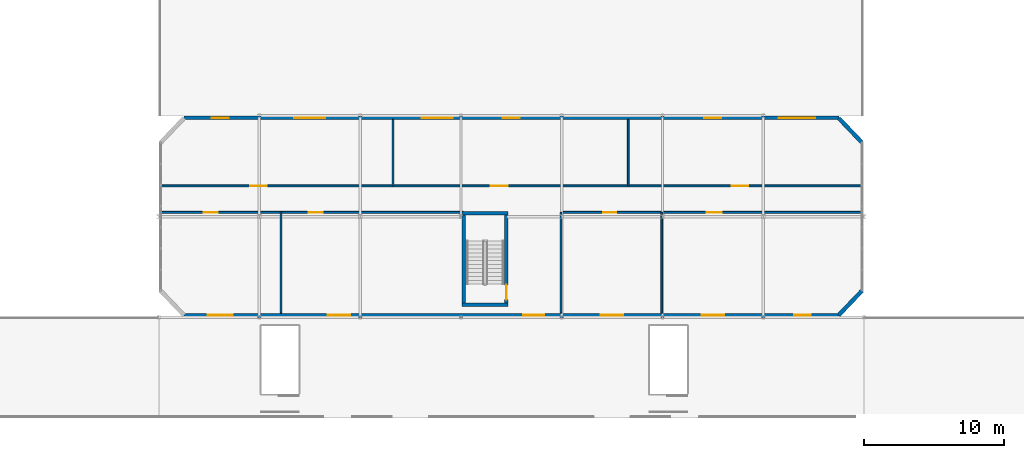
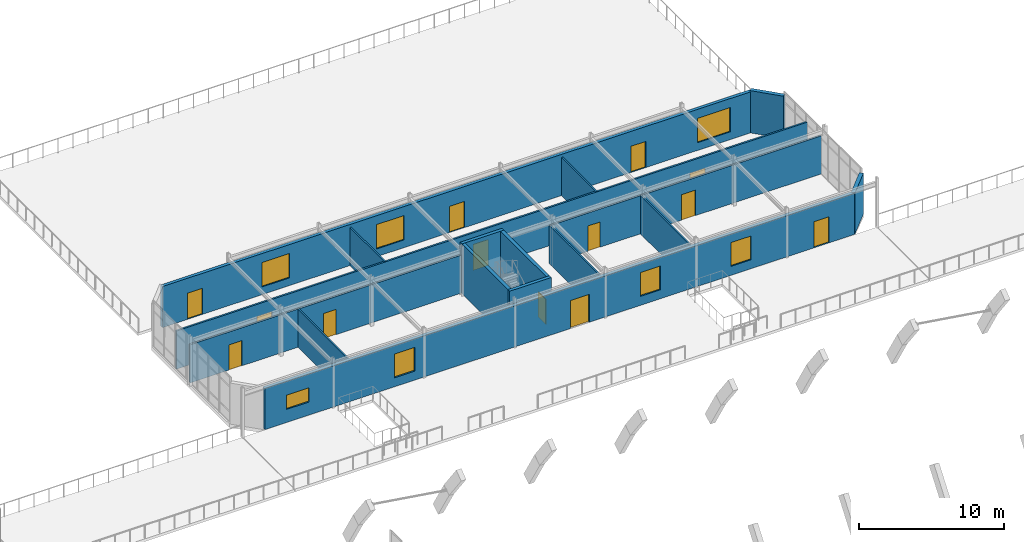
# One storey, part 55 of 85: 16 walls, 13 doors, 7 windows, 20 openings.
"""IFC4 building model written with IfcOpenShell, lengths in metres."""

import ifcopenshell
import ifcopenshell.guid

model = None  # the IFC model being written
_history = None  # IfcOwnerHistory: only IFC2X3 demands one
_inside = {}  # id of a spatial element -> (the spatial element, [elements in it])
_under = {}  # id of a project, library or spatial element -> (it, [spatial elements below it])
_declared = {}  # id of a project -> (the project, [libraries it declares])
_typed = {}  # id of a type object -> (the type object, [elements of that type])
_made_of = {}  # id of a material, layer set ... -> (it, [elements and type objects made of it])


def new_model(schema):
    """Start an empty IFC model of exactly this schema.

    Asked for "IFC4X3", IfcOpenShell would pick the latest addendum, in which some entities
    have other attributes; the version numbers below select the first issue.
    IFC2X3 requires an IfcOwnerHistory on every rooted entity: one is made here for all.
    """
    global model, _history
    if schema == "IFC4X3":
        model = ifcopenshell.file(schema_version=(4, 3, 0, 0))
    else:
        model = ifcopenshell.file(schema=schema)
    _inside.clear()
    _under.clear()
    _declared.clear()
    _typed.clear()
    _made_of.clear()
    _history = None
    if model.schema == "IFC2X3":
        org = make("IfcOrganization", Name="unknown")
        user = make(
            "IfcPersonAndOrganization",
            ThePerson=make("IfcPerson", FamilyName="unknown"),
            TheOrganization=org,
        )
        app = make(
            "IfcApplication",
            ApplicationDeveloper=org,
            Version="unknown",
            ApplicationFullName="unknown",
            ApplicationIdentifier="unknown",
        )
        _history = make(
            "IfcOwnerHistory",
            OwningUser=user,
            OwningApplication=app,
            ChangeAction="ADDED",
            CreationDate=0,
        )
    return model


def make(cls, **values):
    """One entity of the class cls with the attributes given. An attribute that is None is left unset."""
    return model.create_entity(
        cls, **{name: value for name, value in values.items() if value is not None}
    )


def rooted(cls, **values):
    """An entity with a GlobalId (a new one), such as an element, a storey or a relation."""
    return make(cls, GlobalId=ifcopenshell.guid.new(), OwnerHistory=_history, **values)


def si_unit(unit_type, name, prefix=None):
    """IfcSIUnit, for example si_unit("LENGTHUNIT", "METRE", prefix="MILLI")."""
    return make("IfcSIUnit", UnitType=unit_type, Prefix=prefix, Name=name)


def assignment(units):
    """IfcUnitAssignment: the units of a project."""
    return None if units is None else make("IfcUnitAssignment", Units=units)


def point(xyz):
    """IfcCartesianPoint."""
    return None if xyz is None else make("IfcCartesianPoint", Coordinates=xyz)


def direction(xyz):
    """IfcDirection."""
    return None if xyz is None else make("IfcDirection", DirectionRatios=xyz)


def frame(location, z_axis=None, x_axis=None):
    """IfcAxis2Placement3D, a coordinate frame: its origin and axes. An axis left out is left unset."""
    return make(
        "IfcAxis2Placement3D",
        Location=point(location),
        Axis=direction(z_axis),
        RefDirection=direction(x_axis),
    )


def frame_2d(location, x_axis=None):
    """IfcAxis2Placement2D, a coordinate frame in the plane: its origin and x axis."""
    return make(
        "IfcAxis2Placement2D", Location=point(location), RefDirection=direction(x_axis)
    )


def origin():
    """The frame at (0, 0, 0) with its axes left unset."""
    return frame((0.0, 0.0, 0.0))


def place(relative_to, where):
    """IfcLocalPlacement: puts the frame where relative to a parent placement (None: the world)."""
    return make(
        "IfcLocalPlacement", PlacementRelTo=relative_to, RelativePlacement=where
    )


def context(
    kind, dimensions, precision=None, world=None, true_north=None, identifier=None
):
    """IfcGeometricRepresentationContext, for example the 3D "Model" context."""
    return make(
        "IfcGeometricRepresentationContext",
        ContextIdentifier=identifier,
        ContextType=kind,
        CoordinateSpaceDimension=dimensions,
        Precision=precision,
        WorldCoordinateSystem=world,
        TrueNorth=true_north,
    )


def subcontext(parent, identifier, kind, view, scale=None):
    """IfcGeometricRepresentationSubContext, for example "Body" below "Model"."""
    return make(
        "IfcGeometricRepresentationSubContext",
        ContextIdentifier=identifier,
        ContextType=kind,
        ParentContext=parent,
        TargetScale=scale,
        TargetView=view,
    )


def project(units=None, contexts=None):
    """IfcProject with its units and contexts."""
    return rooted(
        "IfcProject",
        Name="project",
        RepresentationContexts=contexts,
        UnitsInContext=assignment(units),
    )


def spatial(cls, under=None, at=None, **own):
    """A site, building, storey or space (cls), placed at a placement, below another one or the project."""
    s = rooted(cls, ObjectPlacement=at, **own)
    if under is not None:
        _under.setdefault(under.id(), (under, []))[1].append(s)
    return s


def profile(cls, at=None, kind="AREA", **sizes):
    """A parametric profile (cls). Its sizes go by their IFC names, for example OverallWidth=200.0."""
    return make(cls, ProfileType=kind, Position=at, **sizes)


def rectangle(**sizes):
    """IfcRectangleProfileDef."""
    return profile("IfcRectangleProfileDef", **sizes)


def extrude(swept, where, along, depth):
    """IfcExtrudedAreaSolid: the profile swept, set in the frame where, extruded along a direction by depth."""
    return make(
        "IfcExtrudedAreaSolid",
        SweptArea=swept,
        Position=where,
        ExtrudedDirection=direction(along),
        Depth=depth,
    )


def shape(context_of_items, identifier, shape_type, items):
    """IfcShapeRepresentation: the items that make up one representation, for example the "Body"."""
    return make(
        "IfcShapeRepresentation",
        ContextOfItems=context_of_items,
        RepresentationIdentifier=identifier,
        RepresentationType=shape_type,
        Items=items,
    )


def material(Name=None, Category=None):
    """IfcMaterial."""
    return make("IfcMaterial", Name=Name, Category=Category)


def layer(
    of_material, thickness, ventilated=None, Name=None, Category=None, Priority=None
):
    """IfcMaterialLayer: one layer of a wall or slab, of a material (None: an air gap)."""
    return make(
        "IfcMaterialLayer",
        Material=of_material,
        LayerThickness=thickness,
        IsVentilated=ventilated,
        Name=Name,
        Category=Category,
        Priority=Priority,
    )


def layer_set(layers, Name=None):
    """IfcMaterialLayerSet."""
    return make("IfcMaterialLayerSet", MaterialLayers=layers, LayerSetName=Name)


def made_of(thing, what):
    """Note that an element or type object is made of a material, layer set ...; save() writes the relation."""
    if what is not None:
        _made_of.setdefault(what.id(), (what, []))[1].append(thing)
    return thing


def type_object(cls, material=None, **own):
    """A type object (cls), such as IfcWallType, which elements share."""
    return made_of(rooted(cls, **own), material)


def element(
    cls,
    number,
    at=None,
    inside=None,
    cuts=None,
    type_object=None,
    material=None,
    context=None,
    identifier="Body",
    shape_type=None,
    held_by="IfcProductDefinitionShape",
    body=None,
    shapes=None,
    **own,
):
    """One element of the class cls, such as IfcWall. Its Tag is "e" and its number.

    at: its placement. inside: the storey or other place that contains it. cuts: it is an
    opening in that element (IfcRelVoidsElement). A single representation is given by context,
    identifier, shape_type and body (its items); several are given by shapes. held_by: the class
    of the entity that holds the representations. save() writes the other relations.
    """
    e = rooted(cls, Tag="e%d" % number, ObjectPlacement=at, **own)
    if body is not None:
        shapes = [shape(context, identifier, shape_type, body)]
    if shapes is not None:
        e.Representation = make(held_by, Representations=shapes)
    if inside is not None:
        _inside.setdefault(inside.id(), (inside, []))[1].append(e)
    if cuts is not None:
        rooted(
            "IfcRelVoidsElement", RelatingBuildingElement=cuts, RelatedOpeningElement=e
        )
    if type_object is not None:
        _typed.setdefault(type_object.id(), (type_object, []))[1].append(e)
    return made_of(e, material)


def fill(opening, filler):
    """IfcRelFillsElement: the door or window that sits in an opening."""
    return rooted(
        "IfcRelFillsElement",
        RelatingOpeningElement=opening,
        RelatedBuildingElement=filler,
    )


def aggregate(whole, parts):
    """IfcRelAggregates: a whole, such as a stair, and the parts it consists of."""
    return rooted("IfcRelAggregates", RelatingObject=whole, RelatedObjects=parts)


def save(model, path):
    """Write the relations noted so far, then the file.

    IfcRelAggregates (storeys below a building ...), IfcRelContainedInSpatialStructure (elements
    in a storey), IfcRelDefinesByType, IfcRelAssociatesMaterial and IfcRelDeclares: one each for
    every whole, place, type object, material and project.
    """
    for whole, parts in _under.values():
        aggregate(whole, parts)
    for where, things in _inside.values():
        rooted(
            "IfcRelContainedInSpatialStructure",
            RelatedElements=things,
            RelatingStructure=where,
        )
    for kind, things in _typed.values():
        rooted("IfcRelDefinesByType", RelatedObjects=things, RelatingType=kind)
    for what, things in _made_of.values():
        rooted("IfcRelAssociatesMaterial", RelatedObjects=things, RelatingMaterial=what)
    for by, libraries in _declared.values():
        rooted("IfcRelDeclares", RelatingContext=by, RelatedDefinitions=libraries)
    model.write(path)


model = new_model("IFC4")

# Units and contexts
model_context = context("Model", 3, precision=1e-05, world=origin(), true_north=direction((0.0, 1.0)))
body_context = subcontext(model_context, "Body", "Model", "MODEL_VIEW")
ifc_project = project(units=[si_unit("LENGTHUNIT", "METRE"), si_unit("AREAUNIT", "SQUARE_METRE"), si_unit("VOLUMEUNIT", "CUBIC_METRE"), si_unit("PLANEANGLEUNIT", "RADIAN"), si_unit("MASSUNIT", "GRAM", prefix="KILO")], contexts=[model_context])

# Site, building, storey
site_placement = place(None, origin())
site = spatial("IfcSite", under=ifc_project, at=site_placement, CompositionType="ELEMENT")
building_placement = place(site_placement, origin())
building = spatial("IfcBuilding", under=site, at=building_placement, Name="Ochrevale Crest", CompositionType="ELEMENT")
storey_placement = place(building_placement, frame((0.0, 0.0, 4.5)))
storey = spatial("IfcBuildingStorey", under=building, at=storey_placement, Name="L01", CompositionType="ELEMENT", Elevation=4.5)

# Wall, openings, doors
ifc_material_1 = material(Name="Gypsum plasterboard", Category="gypsum")
ifc_layer_1 = layer(ifc_material_1, 0.139892578125)
ifc_layer_set_1 = layer_set([ifc_layer_1], Name="Gypsum plasterboard")
wall_type_1 = type_object("IfcWallType", Name="WL-COR-140", PredefinedType="PARTITIONING", material=ifc_layer_set_1)
wall_1_placement = place(storey_placement, frame((57.739990234375, 88.60009765625, 0.0), z_axis=(0.0, 0.0, 1.0), x_axis=(1.0, 0.0, 0.0)))
wall_1 = element("IfcWall", 1, at=wall_1_placement, inside=storey, type_object=wall_type_1, Name="Nursery playrooms corridor wall", PredefinedType="PARTITIONING", context=body_context, shape_type="SweptSolid", body=[
    extrude(rectangle(XDim=50.1201171875, YDim=0.139892578125, at=frame_2d((25.06005859375, 0.0))), origin(), (0.0, 0.0, 1.0), 3.199951171875),
])
opening_1_placement = place(wall_1_placement, frame((6.39990234375, 0.0, 0.0)))
opening_1 = element("IfcOpeningElement", 2, at=opening_1_placement, cuts=wall_1, Name="Opening ID09", PredefinedType="OPENING", context=body_context, shape_type="SweptSolid", body=[
    extrude(rectangle(XDim=1.199951171875, YDim=2.179931640625, at=frame_2d((0.60009765625, 1.08984375))), frame((0.0, 0.080078125, 0.0), z_axis=(0.0, -1.0, 0.0), x_axis=(1.0, 0.0, 0.0)), (0.0, 0.0, 1.0), 0.159912109375),
])
opening_2_placement = place(wall_1_placement, frame((24.800048828125, 0.0, 0.0), z_axis=(0.0, 0.0, 1.0), x_axis=(-1.0, 0.0, 0.0)))
opening_2 = element("IfcOpeningElement", 3, at=opening_2_placement, cuts=wall_1, Name="Opening ID09", PredefinedType="OPENING", context=body_context, shape_type="SweptSolid", body=[
    extrude(rectangle(XDim=1.199951171875, YDim=2.179931640625, at=frame_2d((0.60009765625, 1.08984375))), frame((0.0, 0.080078125, 0.0), z_axis=(0.0, -1.0, 0.0), x_axis=(1.0, 0.0, 0.0)), (0.0, 0.0, 1.0), 0.159912109375),
])
opening_3_placement = place(wall_1_placement, frame((40.800048828125, 0.0, 0.0)))
opening_3 = element("IfcOpeningElement", 4, at=opening_3_placement, cuts=wall_1, Name="Opening ID09", PredefinedType="OPENING", context=body_context, shape_type="SweptSolid", body=[
    extrude(rectangle(XDim=1.199951171875, YDim=2.179931640625, at=frame_2d((0.60009765625, 1.08984375))), frame((0.0, 0.080078125, 0.0), z_axis=(0.0, -1.0, 0.0), x_axis=(1.0, 0.0, 0.0)), (0.0, 0.0, 1.0), 0.159912109375),
])
ifc_material_2 = material(Name="Solid-core FSC hardwood", Category="wood")
door_type_1 = type_object("IfcDoorType", Name="DR-INT-1200", OperationType="NOTDEFINED", PredefinedType="DOOR", material=ifc_material_2)
door_1_placement = place(opening_1_placement, origin())
door_1 = element("IfcDoor", 5, at=door_1_placement, inside=storey, type_object=door_type_1, Name="Infants Playroom door", OperationType="SINGLE_SWING_LEFT", OverallHeight=2.179931640625, OverallWidth=1.199951171875, PredefinedType="DOOR", context=body_context, shape_type="SweptSolid", body=[
    extrude(rectangle(XDim=1.199951171875, YDim=2.179931640625, at=frame_2d((0.60009765625, 1.08984375))), frame((0.0, 0.02490234375, 0.0), z_axis=(0.0, -1.0, 0.0), x_axis=(1.0, 0.0, 0.0)), (0.0, 0.0, 1.0), 0.050048828125),
])
fill(opening_1, door_1)
door_2_placement = place(opening_2_placement, origin())
door_2 = element("IfcDoor", 6, at=door_2_placement, inside=storey, type_object=door_type_1, Name="Toddlers Playroom door", OperationType="SINGLE_SWING_RIGHT", OverallHeight=2.179931640625, OverallWidth=1.199951171875, PredefinedType="DOOR", context=body_context, shape_type="SweptSolid", body=[
    extrude(rectangle(XDim=1.199951171875, YDim=2.179931640625, at=frame_2d((0.60009765625, 1.08984375))), frame((0.0, 0.02490234375, 0.0), z_axis=(0.0, -1.0, 0.0), x_axis=(1.0, 0.0, 0.0)), (0.0, 0.0, 1.0), 0.050048828125),
])
fill(opening_2, door_2)
door_3_placement = place(opening_3_placement, origin())
door_3 = element("IfcDoor", 7, at=door_3_placement, inside=storey, type_object=door_type_1, Name="Kindergarten Playroom door", OperationType="SINGLE_SWING_LEFT", OverallHeight=2.179931640625, OverallWidth=1.199951171875, PredefinedType="DOOR", context=body_context, shape_type="SweptSolid", body=[
    extrude(rectangle(XDim=1.199951171875, YDim=2.179931640625, at=frame_2d((0.60009765625, 1.08984375))), frame((0.0, 0.02490234375, 0.0), z_axis=(0.0, -1.0, 0.0), x_axis=(1.0, 0.0, 0.0)), (0.0, 0.0, 1.0), 0.050048828125),
])
fill(opening_3, door_3)

wall_2_placement = place(storey_placement, frame((57.739990234375, 86.699951171875, 0.0), z_axis=(0.0, 0.0, 1.0), x_axis=(1.0, 0.0, 0.0)))
wall_2 = element("IfcWall", 8, at=wall_2_placement, inside=storey, type_object=wall_type_1, Name="Nursery south rooms west wall", PredefinedType="PARTITIONING", context=body_context, shape_type="SweptSolid", body=[
    extrude(rectangle(XDim=21.610107421875, YDim=0.139892578125, at=frame_2d((10.80517578125, 0.0))), origin(), (0.0, 0.0, 1.0), 3.199951171875),
])
opening_4_placement = place(wall_2_placement, frame((4.10009765625, 0.0, 0.0), z_axis=(0.0, 0.0, 1.0), x_axis=(-1.0, 0.0, 0.0)))
opening_4 = element("IfcOpeningElement", 9, at=opening_4_placement, cuts=wall_2, Name="Opening ID07", PredefinedType="OPENING", context=body_context, shape_type="SweptSolid", body=[
    extrude(rectangle(XDim=1.0, YDim=2.1201171875, at=frame_2d((0.5, 1.06005859375))), frame((0.0, 0.080078125, 0.0), z_axis=(0.0, -1.0, 0.0), x_axis=(1.0, 0.0, 0.0)), (0.0, 0.0, 1.0), 0.159912109375),
])
opening_5_placement = place(wall_2_placement, frame((10.60009765625, 0.0, 0.0)))
opening_5 = element("IfcOpeningElement", 10, at=opening_5_placement, cuts=wall_2, Name="Opening ID07", PredefinedType="OPENING", context=body_context, shape_type="SweptSolid", body=[
    extrude(rectangle(XDim=1.0, YDim=2.1201171875, at=frame_2d((0.5, 1.06005859375))), frame((0.0, 0.080078125, 0.0), z_axis=(0.0, -1.0, 0.0), x_axis=(1.0, 0.0, 0.0)), (0.0, 0.0, 1.0), 0.159912109375),
])
door_type_2 = type_object("IfcDoorType", Name="DR-INT-1000", OperationType="NOTDEFINED", PredefinedType="DOOR", material=ifc_material_2)
door_4_placement = place(opening_4_placement, origin())
door_4 = element("IfcDoor", 11, at=door_4_placement, inside=storey, type_object=door_type_2, Name="Infants Cot Room door", OperationType="SINGLE_SWING_RIGHT", OverallHeight=2.1201171875, OverallWidth=1.0, PredefinedType="DOOR", context=body_context, shape_type="SweptSolid", body=[
    extrude(rectangle(XDim=1.0, YDim=2.1201171875, at=frame_2d((0.5, 1.06005859375))), frame((0.0, 0.02490234375, 0.0), z_axis=(0.0, -1.0, 0.0), x_axis=(1.0, 0.0, 0.0)), (0.0, 0.0, 1.0), 0.050048828125),
])
fill(opening_4, door_4)
door_5_placement = place(opening_5_placement, origin())
door_5 = element("IfcDoor", 12, at=door_5_placement, inside=storey, type_object=door_type_2, Name="Nursery Kitchen door", OperationType="SINGLE_SWING_LEFT", OverallHeight=2.1201171875, OverallWidth=1.0, PredefinedType="DOOR", context=body_context, shape_type="SweptSolid", body=[
    extrude(rectangle(XDim=1.0, YDim=2.1201171875, at=frame_2d((0.5, 1.06005859375))), frame((0.0, 0.02490234375, 0.0), z_axis=(0.0, -1.0, 0.0), x_axis=(1.0, 0.0, 0.0)), (0.0, 0.0, 1.0), 0.050048828125),
])
fill(opening_5, door_5)

wall_3_placement = place(storey_placement, frame((86.35009765625, 86.699951171875, 0.0), z_axis=(0.0, 0.0, 1.0), x_axis=(1.0, 0.0, 0.0)))
wall_3 = element("IfcWall", 13, at=wall_3_placement, inside=storey, type_object=wall_type_1, Name="Nursery south rooms east wall", PredefinedType="PARTITIONING", context=body_context, shape_type="SweptSolid", body=[
    extrude(rectangle(XDim=21.510009765625, YDim=0.139892578125, at=frame_2d((10.7548828125, 0.0))), origin(), (0.0, 0.0, 1.0), 3.199951171875),
])
opening_6_placement = place(wall_3_placement, frame((3.949951171875, 0.0, 0.0), z_axis=(0.0, 0.0, 1.0), x_axis=(-1.0, 0.0, 0.0)))
opening_6 = element("IfcOpeningElement", 14, at=opening_6_placement, cuts=wall_3, Name="Opening ID05", PredefinedType="OPENING", context=body_context, shape_type="SweptSolid", body=[
    extrude(rectangle(XDim=0.949951171875, YDim=2.1201171875, at=frame_2d((0.47509765625, 1.06005859375))), frame((0.0, 0.080078125, 0.0), z_axis=(0.0, -1.0, 0.0), x_axis=(1.0, 0.0, 0.0)), (0.0, 0.0, 1.0), 0.159912109375),
])
opening_7_placement = place(wall_3_placement, frame((10.39990234375, 0.0, 0.0)))
opening_7 = element("IfcOpeningElement", 15, at=opening_7_placement, cuts=wall_3, Name="Opening ID08", PredefinedType="OPENING", context=body_context, shape_type="SweptSolid", body=[
    extrude(rectangle(XDim=1.10009765625, YDim=2.14990234375, at=frame_2d((0.550048828125, 1.074951171875))), frame((0.0, 0.080078125, 0.0), z_axis=(0.0, -1.0, 0.0), x_axis=(1.0, 0.0, 0.0)), (0.0, 0.0, 1.0), 0.159912109375),
])
door_type_3 = type_object("IfcDoorType", Name="DR-INT-1100", OperationType="NOTDEFINED", PredefinedType="DOOR", material=ifc_material_2)
door_6_placement = place(opening_7_placement, origin())
door_6 = element("IfcDoor", 16, at=door_6_placement, inside=storey, type_object=door_type_3, Name="Nursery Administration Office door", OperationType="SINGLE_SWING_LEFT", OverallHeight=2.14990234375, OverallWidth=1.10009765625, PredefinedType="DOOR", context=body_context, shape_type="SweptSolid", body=[
    extrude(rectangle(XDim=1.10009765625, YDim=2.14990234375, at=frame_2d((0.550048828125, 1.074951171875))), frame((0.0, 0.02490234375, 0.0), z_axis=(0.0, -1.0, 0.0), x_axis=(1.0, 0.0, 0.0)), (0.0, 0.0, 1.0), 0.050048828125),
])
fill(opening_7, door_6)
door_type_4 = type_object("IfcDoorType", Name="DR-WC-950", OperationType="NOTDEFINED", PredefinedType="DOOR", material=ifc_material_2)
door_7_placement = place(opening_6_placement, origin())
door_7 = element("IfcDoor", 17, at=door_7_placement, inside=storey, type_object=door_type_4, Name="Junior Washroom door", OperationType="SINGLE_SWING_RIGHT", OverallHeight=2.1201171875, OverallWidth=0.949951171875, PredefinedType="DOOR", context=body_context, shape_type="SweptSolid", body=[
    extrude(rectangle(XDim=0.949951171875, YDim=2.1201171875, at=frame_2d((0.47509765625, 1.06005859375))), frame((0.0, 0.02490234375, 0.0), z_axis=(0.0, -1.0, 0.0), x_axis=(1.0, 0.0, 0.0)), (0.0, 0.0, 1.0), 0.050048828125),
])
fill(opening_6, door_7)

# Walls
ifc_material_3 = material(Name="Precast concrete C50/60", Category="concrete")
ifc_layer_2 = layer(ifc_material_3, 0.2548828125)
ifc_layer_set_2 = layer_set([ifc_layer_2], Name="Precast concrete C50/60")
wall_type_2 = type_object("IfcWallType", Name="WL-CORE-255", PredefinedType="SHEAR", material=ifc_layer_set_2)
for number, where, z_axis, x_axis, name in (
    (18, (79.2724609375, 80.10009765625, 0.0), (0.0, 0.0, 1.0), (1.0, 0.0, 0.0), "Nursery stair core wall L01-S"),
    (19, (79.2724609375, 86.64990234375, 0.0), (0.0, 0.0, 1.0), (1.0, 0.0, 0.0), "Nursery stair core wall L01-N"),
):
    element("IfcWall", number, at=place(storey_placement, frame(where, z_axis=z_axis, x_axis=x_axis)), inside=storey, type_object=wall_type_2, Name=name, PredefinedType="SHEAR", context=body_context, shape_type="SweptSolid", body=[
        extrude(rectangle(XDim=3.304931640625, YDim=0.2548828125, at=frame_2d((1.65234375, 0.0))), origin(), (0.0, 0.0, 1.0), 4.199951171875),
    ])
wall_4_placement = place(storey_placement, frame((79.39990234375, 80.2275390625, 0.0), z_axis=(0.0, 0.0, 1.0), x_axis=(0.0, 1.0, 0.0)))
element("IfcWall", 20, at=wall_4_placement, inside=storey, type_object=wall_type_2, Name="Nursery stair core wall L01-W", PredefinedType="SHEAR", context=body_context, shape_type="SweptSolid", body=[
    extrude(rectangle(XDim=6.294921875, YDim=0.2548828125, at=frame_2d((3.1474609375, 0.0))), origin(), (0.0, 0.0, 1.0), 4.199951171875),
])

# Wall, opening, door
wall_5_placement = place(storey_placement, frame((82.449951171875, 80.2275390625, 0.0), z_axis=(0.0, 0.0, 1.0), x_axis=(0.0, 1.0, 0.0)))
wall_5 = element("IfcWall", 21, at=wall_5_placement, inside=storey, type_object=wall_type_2, Name="Nursery stair core wall L01-E", PredefinedType="SHEAR", context=body_context, shape_type="SweptSolid", body=[
    extrude(rectangle(XDim=6.294921875, YDim=0.2548828125, at=frame_2d((3.1474609375, 0.0))), origin(), (0.0, 0.0, 1.0), 4.199951171875),
])
opening_8_placement = place(wall_5_placement, frame((1.300048828125, 0.0, 0.0), z_axis=(0.0, 0.0, 1.0), x_axis=(-1.0, 0.0, 0.0)))
opening_8 = element("IfcOpeningElement", 22, at=opening_8_placement, cuts=wall_5, Name="Opening FD03", PredefinedType="OPENING", context=body_context, shape_type="SweptSolid", body=[
    extrude(rectangle(XDim=1.050048828125, YDim=2.1201171875, at=frame_2d((0.52490234375, 1.06005859375))), frame((0.0, 0.137451171875, 0.0), z_axis=(0.0, -1.0, 0.0), x_axis=(1.0, 0.0, 0.0)), (0.0, 0.0, 1.0), 0.27490234375),
])
door_type_5 = type_object("IfcDoorType", Name="DR-ST-1050", OperationType="NOTDEFINED", PredefinedType="DOOR", material=ifc_material_2)
door_8_placement = place(opening_8_placement, origin())
door_8 = element("IfcDoor", 23, at=door_8_placement, inside=storey, type_object=door_type_5, Name="Nursery stair ST-N1 L01 door", OperationType="SINGLE_SWING_RIGHT", OverallHeight=2.1201171875, OverallWidth=1.050048828125, PredefinedType="DOOR", context=body_context, shape_type="SweptSolid", body=[
    extrude(rectangle(XDim=1.050048828125, YDim=2.1201171875, at=frame_2d((0.52490234375, 1.06005859375))), frame((0.0, 0.02490234375, 0.0), z_axis=(0.0, -1.0, 0.0), x_axis=(1.0, 0.0, 0.0)), (0.0, 0.0, 1.0), 0.050048828125),
])
fill(opening_8, door_8)

# Wall, openings, doors, windows
ifc_material_4 = material(Name="Clay face brickwork", Category="masonry")
ifc_layer_3 = layer(ifc_material_4, 0.2900390625)
ifc_layer_set_3 = layer_set([ifc_layer_3], Name="Clay face brickwork")
wall_type_3 = type_object("IfcWallType", Name="WL-EXT-BRICK-290", PredefinedType="SOLIDWALL", material=ifc_layer_set_3)
wall_6_placement = place(storey_placement, frame((59.39990234375, 79.35009765625, 0.0), z_axis=(0.0, 0.0, 1.0), x_axis=(1.0, 0.0, 0.0)))
wall_6 = element("IfcWall", 24, at=wall_6_placement, inside=storey, type_object=wall_type_3, Name="Nursery Pavilion south courtyard wall", PredefinedType="SOLIDWALL", context=body_context, shape_type="SweptSolid", body=[
    extrude(rectangle(XDim=46.800048828125, YDim=0.2900390625, at=frame_2d((23.39990234375, 0.0))), origin(), (0.0, 0.0, 1.0), 3.448486328125),
])
opening_9_placement = place(wall_6_placement, frame((25.75, 0.0, 0.0), z_axis=(0.0, 0.0, 1.0), x_axis=(-1.0, 0.0, 0.0)))
opening_9 = element("IfcOpeningElement", 25, at=opening_9_placement, cuts=wall_6, Name="Opening ED04", PredefinedType="OPENING", context=body_context, shape_type="SweptSolid", body=[
    extrude(rectangle(XDim=1.5, YDim=2.35009765625, at=frame_2d((0.75, 1.175048828125))), frame((0.0, 0.155029296875, 0.0), z_axis=(0.0, -1.0, 0.0), x_axis=(1.0, 0.0, 0.0)), (0.0, 0.0, 1.0), 0.31005859375),
])
opening_10_placement = place(wall_6_placement, frame((44.800048828125, 0.0, 0.0), z_axis=(0.0, 0.0, 1.0), x_axis=(-1.0, 0.0, 0.0)))
opening_10 = element("IfcOpeningElement", 26, at=opening_10_placement, cuts=wall_6, Name="Opening ED05", PredefinedType="OPENING", context=body_context, shape_type="SweptSolid", body=[
    extrude(rectangle(XDim=1.199951171875, YDim=2.199951171875, at=frame_2d((0.60009765625, 1.10009765625))), frame((0.0, 0.155029296875, 0.0), z_axis=(0.0, -1.0, 0.0), x_axis=(1.0, 0.0, 0.0)), (0.0, 0.0, 1.0), 0.31005859375),
])
opening_11_placement = place(wall_6_placement, frame((1.699951171875, 0.0, 1.10009765625)))
opening_11 = element("IfcOpeningElement", 27, at=opening_11_placement, cuts=wall_6, Name="Opening W20", PredefinedType="OPENING", context=body_context, shape_type="SweptSolid", body=[
    extrude(rectangle(XDim=1.800048828125, YDim=1.199951171875, at=frame_2d((0.89990234375, 0.60009765625))), frame((0.0, 0.155029296875, 0.0), z_axis=(0.0, -1.0, 0.0), x_axis=(1.0, 0.0, 0.0)), (0.0, 0.0, 1.0), 0.31005859375),
])
opening_12_placement = place(wall_6_placement, frame((10.300048828125, 0.0, 0.75)))
opening_12 = element("IfcOpeningElement", 28, at=opening_12_placement, cuts=wall_6, Name="Opening W21", PredefinedType="OPENING", context=body_context, shape_type="SweptSolid", body=[
    extrude(rectangle(XDim=1.60009765625, YDim=2.0, at=frame_2d((0.800048828125, 1.0))), frame((0.0, 0.155029296875, 0.0), z_axis=(0.0, -1.0, 0.0), x_axis=(1.0, 0.0, 0.0)), (0.0, 0.0, 1.0), 0.31005859375),
])
opening_13_placement = place(wall_6_placement, frame((29.800048828125, 0.0, 0.75)))
opening_13 = element("IfcOpeningElement", 29, at=opening_13_placement, cuts=wall_6, Name="Opening W21", PredefinedType="OPENING", context=body_context, shape_type="SweptSolid", body=[
    extrude(rectangle(XDim=1.60009765625, YDim=2.0, at=frame_2d((0.800048828125, 1.0))), frame((0.0, 0.155029296875, 0.0), z_axis=(0.0, -1.0, 0.0), x_axis=(1.0, 0.0, 0.0)), (0.0, 0.0, 1.0), 0.31005859375),
])
opening_14_placement = place(wall_6_placement, frame((37.0, 0.0, 0.75)))
opening_14 = element("IfcOpeningElement", 30, at=opening_14_placement, cuts=wall_6, Name="Opening W21", PredefinedType="OPENING", context=body_context, shape_type="SweptSolid", body=[
    extrude(rectangle(XDim=1.60009765625, YDim=2.0, at=frame_2d((0.800048828125, 1.0))), frame((0.0, 0.155029296875, 0.0), z_axis=(0.0, -1.0, 0.0), x_axis=(1.0, 0.0, 0.0)), (0.0, 0.0, 1.0), 0.31005859375),
])
ifc_material_5 = material(Name="Anodised aluminium 6063-T5 and toughened glass", Category="aluminium")
door_type_6 = type_object("IfcDoorType", Name="DR-EXT-1200", OperationType="NOTDEFINED", PredefinedType="DOOR", material=ifc_material_5)
door_9_placement = place(opening_10_placement, origin())
door_9 = element("IfcDoor", 31, at=door_9_placement, inside=storey, type_object=door_type_6, Name="Nursery Administration Office promenade door", OperationType="SINGLE_SWING_RIGHT", OverallHeight=2.199951171875, OverallWidth=1.199951171875, PredefinedType="DOOR", context=body_context, shape_type="SweptSolid", body=[
    extrude(rectangle(XDim=1.199951171875, YDim=2.199951171875, at=frame_2d((0.60009765625, 1.10009765625))), frame((0.0, 0.02490234375, 0.0), z_axis=(0.0, -1.0, 0.0), x_axis=(1.0, 0.0, 0.0)), (0.0, 0.0, 1.0), 0.050048828125),
])
fill(opening_10, door_9)
door_type_7 = type_object("IfcDoorType", Name="DR-EXT-1500", OperationType="NOTDEFINED", PredefinedType="DOOR", material=ifc_material_5)
door_10_placement = place(opening_9_placement, origin())
door_10 = element("IfcDoor", 32, at=door_10_placement, inside=storey, type_object=door_type_7, Name="Nursery foyer courtyard entrance door", OperationType="DOUBLE_DOOR_SINGLE_SWING", OverallHeight=2.35009765625, OverallWidth=1.5, PredefinedType="DOOR", context=body_context, shape_type="SweptSolid", body=[
    extrude(rectangle(XDim=1.5, YDim=2.35009765625, at=frame_2d((0.75, 1.175048828125))), frame((0.0, 0.02490234375, 0.0), z_axis=(0.0, -1.0, 0.0), x_axis=(1.0, 0.0, 0.0)), (0.0, 0.0, 1.0), 0.050048828125),
])
fill(opening_9, door_10)
ifc_material_6 = material(Name="Anodised aluminium 6063-T5 and low-E double glazing", Category="aluminium")
window_type_1 = type_object("IfcWindowType", Name="WIN-W20", PartitioningType="SINGLE_PANEL", PredefinedType="WINDOW", material=ifc_material_6)
window_1_placement = place(opening_11_placement, origin())
window_1 = element("IfcWindow", 33, at=window_1_placement, inside=storey, type_object=window_type_1, Name="Nursery south room window 1", OverallHeight=1.199951171875, OverallWidth=1.800048828125, PartitioningType="SINGLE_PANEL", PredefinedType="WINDOW", context=body_context, shape_type="SweptSolid", body=[
    extrude(rectangle(XDim=1.800048828125, YDim=1.199951171875, at=frame_2d((0.89990234375, 0.60009765625))), frame((0.0, 0.030029296875, 0.0), z_axis=(0.0, -1.0, 0.0), x_axis=(1.0, 0.0, 0.0)), (0.0, 0.0, 1.0), 0.06005859375),
])
fill(opening_11, window_1)
window_type_2 = type_object("IfcWindowType", Name="WIN-W21", PartitioningType="SINGLE_PANEL", PredefinedType="WINDOW", material=ifc_material_6)
window_2_placement = place(opening_12_placement, origin())
window_2 = element("IfcWindow", 34, at=window_2_placement, inside=storey, type_object=window_type_2, Name="Nursery south room window 2", OverallHeight=2.0, OverallWidth=1.60009765625, PartitioningType="SINGLE_PANEL", PredefinedType="WINDOW", context=body_context, shape_type="SweptSolid", body=[
    extrude(rectangle(XDim=1.60009765625, YDim=2.0, at=frame_2d((0.800048828125, 1.0))), frame((0.0, 0.030029296875, 0.0), z_axis=(0.0, -1.0, 0.0), x_axis=(1.0, 0.0, 0.0)), (0.0, 0.0, 1.0), 0.06005859375),
])
fill(opening_12, window_2)
window_3_placement = place(opening_13_placement, origin())
window_3 = element("IfcWindow", 35, at=window_3_placement, inside=storey, type_object=window_type_2, Name="Nursery south room window 3", OverallHeight=2.0, OverallWidth=1.60009765625, PartitioningType="SINGLE_PANEL", PredefinedType="WINDOW", context=body_context, shape_type="SweptSolid", body=[
    extrude(rectangle(XDim=1.60009765625, YDim=2.0, at=frame_2d((0.800048828125, 1.0))), frame((0.0, 0.030029296875, 0.0), z_axis=(0.0, -1.0, 0.0), x_axis=(1.0, 0.0, 0.0)), (0.0, 0.0, 1.0), 0.06005859375),
])
fill(opening_13, window_3)
window_4_placement = place(opening_14_placement, origin())
window_4 = element("IfcWindow", 36, at=window_4_placement, inside=storey, type_object=window_type_2, Name="Nursery south room window 4", OverallHeight=2.0, OverallWidth=1.60009765625, PartitioningType="SINGLE_PANEL", PredefinedType="WINDOW", context=body_context, shape_type="SweptSolid", body=[
    extrude(rectangle(XDim=1.60009765625, YDim=2.0, at=frame_2d((0.800048828125, 1.0))), frame((0.0, 0.030029296875, 0.0), z_axis=(0.0, -1.0, 0.0), x_axis=(1.0, 0.0, 0.0)), (0.0, 0.0, 1.0), 0.06005859375),
])
fill(opening_14, window_4)

# Walls
wall_7_placement = place(storey_placement, frame((106.179931640625, 79.35009765625, 0.0), z_axis=(0.0, 0.0, 1.0), x_axis=(0.690413335594, 0.72341511322, 0.0)))
element("IfcWall", 37, at=wall_7_placement, inside=storey, type_object=wall_type_3, Name="Nursery Pavilion SE chamfer brick pier", PredefinedType="SOLIDWALL", context=body_context, shape_type="SweptSolid", body=[
    extrude(rectangle(XDim=2.419189453125, YDim=0.2900390625, at=frame_2d((1.20947265625, 0.0))), origin(), (0.0, 0.0, 1.0), 3.448486328125),
])
wall_8_placement = place(storey_placement, frame((107.85009765625, 91.699951171875, 0.0), z_axis=(0.0, 0.0, 1.0), x_axis=(-0.690413335594, 0.72341511322, 0.0)))
element("IfcWall", 38, at=wall_8_placement, inside=storey, type_object=wall_type_3, Name="Nursery Pavilion NE chamfer brick pier", PredefinedType="SOLIDWALL", context=body_context, shape_type="SweptSolid", body=[
    extrude(rectangle(XDim=2.419189453125, YDim=0.2900390625, at=frame_2d((1.20947265625, 0.0))), origin(), (0.0, 0.0, 1.0), 3.550048828125),
])

# Wall, openings, doors, windows
ifc_material_7 = material(Name="Precast concrete C40/50", Category="concrete")
ifc_layer_4 = layer(ifc_material_7, 0.25)
ifc_layer_set_4 = layer_set([ifc_layer_4], Name="Precast concrete C40/50")
wall_type_4 = type_object("IfcWallType", Name="WL-EXT-GOLD-250", PredefinedType="SOLIDWALL", material=ifc_layer_set_4)
wall_9_placement = place(storey_placement, frame((59.39990234375, 93.449951171875, 0.0), z_axis=(0.0, 0.0, 1.0), x_axis=(1.0, 0.0, 0.0)))
wall_9 = element("IfcWall", 39, at=wall_9_placement, inside=storey, type_object=wall_type_4, Name="Nursery Pavilion north playroom wall", PredefinedType="SOLIDWALL", context=body_context, shape_type="SweptSolid", body=[
    extrude(rectangle(XDim=46.800048828125, YDim=0.25, at=frame_2d((23.39990234375, 0.0))), origin(), (0.0, 0.0, 1.0), 3.448486328125),
])
opening_15_placement = place(wall_9_placement, frame((2.0, 0.0, 0.0)))
opening_15 = element("IfcOpeningElement", 40, at=opening_15_placement, cuts=wall_9, Name="Opening ED05", PredefinedType="OPENING", context=body_context, shape_type="SweptSolid", body=[
    extrude(rectangle(XDim=1.199951171875, YDim=2.199951171875, at=frame_2d((0.60009765625, 1.10009765625))), frame((0.0, 0.135009765625, 0.0), z_axis=(0.0, -1.0, 0.0), x_axis=(1.0, 0.0, 0.0)), (0.0, 0.0, 1.0), 0.27001953125),
])
opening_16_placement = place(wall_9_placement, frame((7.89990234375, 0.0, 0.64990234375)))
opening_16 = element("IfcOpeningElement", 41, at=opening_16_placement, cuts=wall_9, Name="Opening W22", PredefinedType="OPENING", context=body_context, shape_type="SweptSolid", body=[
    extrude(rectangle(XDim=2.199951171875, YDim=2.050048828125, at=frame_2d((1.10009765625, 1.02490234375))), frame((0.0, 0.135009765625, 0.0), z_axis=(0.0, -1.0, 0.0), x_axis=(1.0, 0.0, 0.0)), (0.0, 0.0, 1.0), 0.27001953125),
])
opening_17_placement = place(wall_9_placement, frame((22.800048828125, 0.0, 0.0)))
opening_17 = element("IfcOpeningElement", 42, at=opening_17_placement, cuts=wall_9, Name="Opening ED05", PredefinedType="OPENING", context=body_context, shape_type="SweptSolid", body=[
    extrude(rectangle(XDim=1.199951171875, YDim=2.199951171875, at=frame_2d((0.60009765625, 1.10009765625))), frame((0.0, 0.135009765625, 0.0), z_axis=(0.0, -1.0, 0.0), x_axis=(1.0, 0.0, 0.0)), (0.0, 0.0, 1.0), 0.27001953125),
])
opening_18_placement = place(wall_9_placement, frame((17.0, 0.0, 0.64990234375)))
opening_18 = element("IfcOpeningElement", 43, at=opening_18_placement, cuts=wall_9, Name="Opening W22", PredefinedType="OPENING", context=body_context, shape_type="SweptSolid", body=[
    extrude(rectangle(XDim=2.199951171875, YDim=2.050048828125, at=frame_2d((1.10009765625, 1.02490234375))), frame((0.0, 0.135009765625, 0.0), z_axis=(0.0, -1.0, 0.0), x_axis=(1.0, 0.0, 0.0)), (0.0, 0.0, 1.0), 0.27001953125),
])
opening_19_placement = place(wall_9_placement, frame((37.199951171875, 0.0, 0.0)))
opening_19 = element("IfcOpeningElement", 44, at=opening_19_placement, cuts=wall_9, Name="Opening ED05", PredefinedType="OPENING", context=body_context, shape_type="SweptSolid", body=[
    extrude(rectangle(XDim=1.199951171875, YDim=2.199951171875, at=frame_2d((0.60009765625, 1.10009765625))), frame((0.0, 0.135009765625, 0.0), z_axis=(0.0, -1.0, 0.0), x_axis=(1.0, 0.0, 0.0)), (0.0, 0.0, 1.0), 0.27001953125),
])
opening_20_placement = place(wall_9_placement, frame((42.5, 0.0, 0.64990234375)))
opening_20 = element("IfcOpeningElement", 45, at=opening_20_placement, cuts=wall_9, Name="Opening W23", PredefinedType="OPENING", context=body_context, shape_type="SweptSolid", body=[
    extrude(rectangle(XDim=2.60009765625, YDim=2.050048828125, at=frame_2d((1.300048828125, 1.02490234375))), frame((0.0, 0.135009765625, 0.0), z_axis=(0.0, -1.0, 0.0), x_axis=(1.0, 0.0, 0.0)), (0.0, 0.0, 1.0), 0.27001953125),
])
door_11_placement = place(opening_15_placement, origin())
door_11 = element("IfcDoor", 46, at=door_11_placement, inside=storey, type_object=door_type_6, Name="Nursery playroom 1 play-terrace exit door", OperationType="SINGLE_SWING_LEFT", OverallHeight=2.199951171875, OverallWidth=1.199951171875, PredefinedType="DOOR", context=body_context, shape_type="SweptSolid", body=[
    extrude(rectangle(XDim=1.199951171875, YDim=2.199951171875, at=frame_2d((0.60009765625, 1.10009765625))), frame((0.0, 0.02490234375, 0.0), z_axis=(0.0, -1.0, 0.0), x_axis=(1.0, 0.0, 0.0)), (0.0, 0.0, 1.0), 0.050048828125),
])
fill(opening_15, door_11)
door_12_placement = place(opening_17_placement, origin())
door_12 = element("IfcDoor", 47, at=door_12_placement, inside=storey, type_object=door_type_6, Name="Nursery playroom 2 play-terrace exit door", OperationType="SINGLE_SWING_RIGHT", OverallHeight=2.199951171875, OverallWidth=1.199951171875, PredefinedType="DOOR", context=body_context, shape_type="SweptSolid", body=[
    extrude(rectangle(XDim=1.199951171875, YDim=2.199951171875, at=frame_2d((0.60009765625, 1.10009765625))), frame((0.0, 0.02490234375, 0.0), z_axis=(0.0, -1.0, 0.0), x_axis=(1.0, 0.0, 0.0)), (0.0, 0.0, 1.0), 0.050048828125),
])
fill(opening_17, door_12)
door_13_placement = place(opening_19_placement, origin())
door_13 = element("IfcDoor", 48, at=door_13_placement, inside=storey, type_object=door_type_6, Name="Nursery playroom 3 play-terrace exit door", OperationType="SINGLE_SWING_LEFT", OverallHeight=2.199951171875, OverallWidth=1.199951171875, PredefinedType="DOOR", context=body_context, shape_type="SweptSolid", body=[
    extrude(rectangle(XDim=1.199951171875, YDim=2.199951171875, at=frame_2d((0.60009765625, 1.10009765625))), frame((0.0, 0.02490234375, 0.0), z_axis=(0.0, -1.0, 0.0), x_axis=(1.0, 0.0, 0.0)), (0.0, 0.0, 1.0), 0.050048828125),
])
fill(opening_19, door_13)
window_type_3 = type_object("IfcWindowType", Name="WIN-W22", PartitioningType="SINGLE_PANEL", PredefinedType="WINDOW", material=ifc_material_6)
window_5_placement = place(opening_16_placement, origin())
window_5 = element("IfcWindow", 49, at=window_5_placement, inside=storey, type_object=window_type_3, Name="Nursery playroom 1 play-court window", OverallHeight=2.050048828125, OverallWidth=2.199951171875, PartitioningType="SINGLE_PANEL", PredefinedType="WINDOW", context=body_context, shape_type="SweptSolid", body=[
    extrude(rectangle(XDim=2.199951171875, YDim=2.050048828125, at=frame_2d((1.10009765625, 1.02490234375))), frame((0.0, 0.030029296875, 0.0), z_axis=(0.0, -1.0, 0.0), x_axis=(1.0, 0.0, 0.0)), (0.0, 0.0, 1.0), 0.06005859375),
])
fill(opening_16, window_5)
window_6_placement = place(opening_18_placement, origin())
window_6 = element("IfcWindow", 50, at=window_6_placement, inside=storey, type_object=window_type_3, Name="Nursery playroom 2 play-court window", OverallHeight=2.050048828125, OverallWidth=2.199951171875, PartitioningType="SINGLE_PANEL", PredefinedType="WINDOW", context=body_context, shape_type="SweptSolid", body=[
    extrude(rectangle(XDim=2.199951171875, YDim=2.050048828125, at=frame_2d((1.10009765625, 1.02490234375))), frame((0.0, 0.030029296875, 0.0), z_axis=(0.0, -1.0, 0.0), x_axis=(1.0, 0.0, 0.0)), (0.0, 0.0, 1.0), 0.06005859375),
])
fill(opening_18, window_6)
window_type_4 = type_object("IfcWindowType", Name="WIN-W23", PartitioningType="SINGLE_PANEL", PredefinedType="WINDOW", material=ifc_material_6)
window_7_placement = place(opening_20_placement, origin())
window_7 = element("IfcWindow", 51, at=window_7_placement, inside=storey, type_object=window_type_4, Name="Nursery playroom 3 play-court window", OverallHeight=2.050048828125, OverallWidth=2.60009765625, PartitioningType="SINGLE_PANEL", PredefinedType="WINDOW", context=body_context, shape_type="SweptSolid", body=[
    extrude(rectangle(XDim=2.60009765625, YDim=2.050048828125, at=frame_2d((1.300048828125, 1.02490234375))), frame((0.0, 0.030029296875, 0.0), z_axis=(0.0, -1.0, 0.0), x_axis=(1.0, 0.0, 0.0)), (0.0, 0.0, 1.0), 0.06005859375),
])
fill(opening_20, window_7)

# Walls
ifc_layer_5 = layer(ifc_material_1, 0.1201171875)
ifc_layer_set_5 = layer_set([ifc_layer_5], Name="Gypsum plasterboard")
wall_type_5 = type_object("IfcWallType", Name="WL-PART-120", PredefinedType="PARTITIONING", material=ifc_layer_set_5)
for number, where, z_axis, x_axis, name in (
    (52, (74.35009765625, 88.60009765625, 0.0), (0.0, 0.0, 1.0), (0.0, 1.0, 0.0), "Playroom divider"),
    (53, (91.14990234375, 88.60009765625, 0.0), (0.0, 0.0, 1.0), (0.0, 1.0, 0.0), "Playroom divider"),
):
    element("IfcWall", number, at=place(storey_placement, frame(where, z_axis=z_axis, x_axis=x_axis)), inside=storey, type_object=wall_type_5, Name=name, PredefinedType="PARTITIONING", context=body_context, shape_type="SweptSolid", body=[
        extrude(rectangle(XDim=4.75, YDim=0.1201171875, at=frame_2d((2.375, 0.0))), origin(), (0.0, 0.0, 1.0), 3.199951171875),
    ])
for number, where, z_axis, x_axis, name in (
    (54, (66.35009765625, 79.5, 0.0), (0.0, 0.0, 1.0), (0.0, 1.0, 0.0), "Nursery south divider"),
    (55, (86.35009765625, 79.5, 0.0), (0.0, 0.0, 1.0), (0.0, 1.0, 0.0), "Nursery south divider"),
    (56, (93.550048828125, 79.5, 0.0), (0.0, 0.0, 1.0), (0.0, 1.0, 0.0), "Nursery south divider"),
):
    element("IfcWall", number, at=place(storey_placement, frame(where, z_axis=z_axis, x_axis=x_axis)), inside=storey, type_object=wall_type_5, Name=name, PredefinedType="PARTITIONING", context=body_context, shape_type="SweptSolid", body=[
        extrude(rectangle(XDim=7.199951171875, YDim=0.1201171875, at=frame_2d((3.60009765625, 0.0))), origin(), (0.0, 0.0, 1.0), 3.199951171875),
    ])

save(model, "model.ifc")
